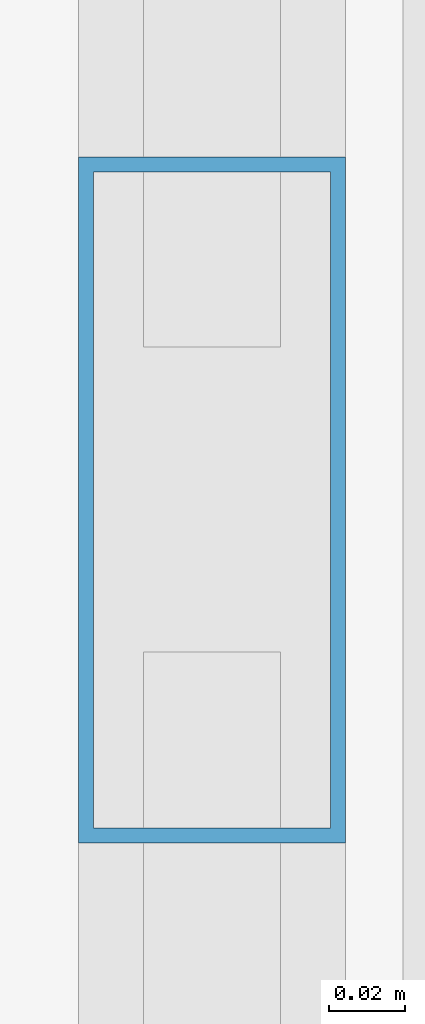
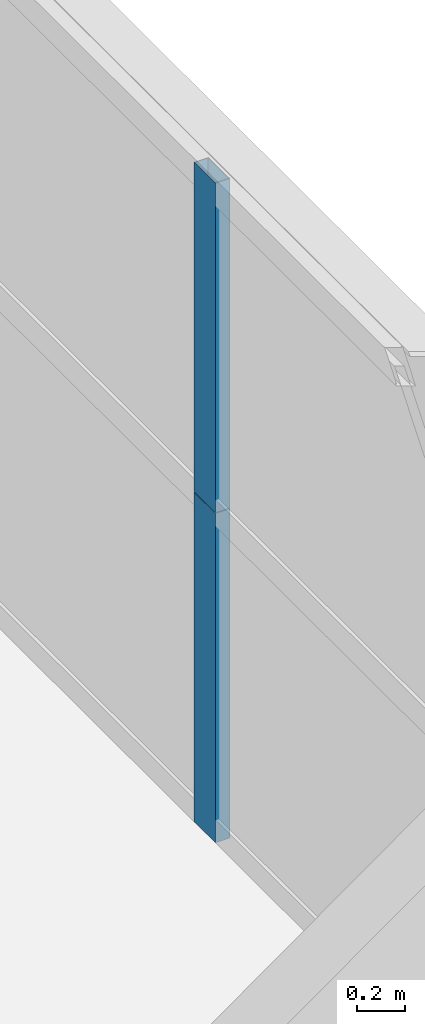
# One storey, part 32 of 43: 2 members, 1 element without a shape of its own.
"""IFC4 building model written with IfcOpenShell, lengths in metres."""

from ifc_helpers import new_model, si_unit, direction, frame, origin, origin_2d, place, context, subcontext, project, spatial, hollow_rectangle, extrude, source, transform, mapped, material, layer, layer_set, material_profile, profile_set, type_object, element, aggregate, save


model = new_model("IFC4")

# Units and contexts
model_context = context("Model", 3, precision=1e-05, world=origin(), true_north=direction((0.0, 1.0)))
body_context = subcontext(model_context, "Body", "Model", "MODEL_VIEW")
ifc_project = project(units=[si_unit("LENGTHUNIT", "METRE"), si_unit("AREAUNIT", "SQUARE_METRE"), si_unit("VOLUMEUNIT", "CUBIC_METRE"), si_unit("PLANEANGLEUNIT", "RADIAN"), si_unit("MASSUNIT", "GRAM", prefix="KILO"), si_unit("THERMODYNAMICTEMPERATUREUNIT", "KELVIN"), si_unit("POWERUNIT", "WATT")], contexts=[model_context])

# Site, building, storey
site_placement = place(None, origin())
site = spatial("IfcSite", under=ifc_project, at=site_placement, CompositionType="ELEMENT")
building_placement = place(site_placement, origin())
building = spatial("IfcBuilding", under=site, at=building_placement, Name="Yuzanri Waterfront Tower", CompositionType="ELEMENT")
storey_placement = place(building_placement, frame((0.0, 0.0, 67.60009765625)))
storey = spatial("IfcBuildingStorey", under=building, at=storey_placement, Name="L17", CompositionType="ELEMENT", Elevation=67.60009765625)

# Curtain wall, members
ifc_material_1 = material(Name="Anodized Architectural Bronze", Category="metal")
ifc_layer = layer(ifc_material_1, 0.159912109375)
ifc_layer_set = layer_set([ifc_layer], Name="Anodized Architectural Bronze")
curtain_wall_type = type_object("IfcCurtainWallType", Name="Anodized Bronze Hotel Lower-Tier Recessed Unitized Curtain Wall 8100", PredefinedType="NOTDEFINED", material=ifc_layer_set)
curtain_wall_placement = place(storey_placement, origin())
curtain_wall = element("IfcCurtainWall", 1, at=curtain_wall_placement, inside=storey, type_object=curtain_wall_type, Name="L17 Curtain Wall CW-L17-ER", PredefinedType="NOTDEFINED")
ifc_material_2 = material(Name="Anodized Architectural Bronze", Category="metal")
ifc_material_profile = material_profile(ifc_material_2, hollow_rectangle(XDim=0.070068359375, YDim=0.179931640625, WallThickness=0.00390625, at=origin_2d()), Name="CWM 70x180")
ifc_profile_set = profile_set([ifc_material_profile], Name="Anodized Architectural Bronze")
member_type = type_object("IfcMemberType", Name="Anodized Bronze Standard Curtain-Wall Mullion 70x180", PredefinedType="MULLION", material=ifc_profile_set)
shared_shape = source(origin(), body_context, "Body", "SweptSolid", [
    extrude(hollow_rectangle(XDim=0.070068359375, YDim=0.179931640625, WallThickness=0.00390625, at=origin_2d()), origin(), (0.0, 0.0, 1.0), 1.68798828125),
])
member_1_placement = place(storey_placement, frame((61.949951171875, 34.89990234375, 0.0), z_axis=(0.0, 0.0, 1.0), x_axis=(1.0, 0.0, 0.0)))
member_1 = element("IfcMember", 2, at=member_1_placement, type_object=member_type, Name="CW-L17-ER Lower Mullion 01", PredefinedType="MULLION", context=body_context, shape_type="MappedRepresentation", body=[
    mapped(shared_shape, transform((0.0, 0.0, 0.0), scale=1.0)),
])
member_2_placement = place(storey_placement, frame((61.949951171875, 34.89990234375, 1.69189453125), z_axis=(0.0, 0.0, 1.0), x_axis=(1.0, 0.0, 0.0)))
member_2 = element("IfcMember", 3, at=member_2_placement, type_object=member_type, Name="CW-L17-ER Upper Mullion 01", PredefinedType="MULLION", context=body_context, shape_type="MappedRepresentation", body=[
    mapped(shared_shape, transform((0.0, 0.0, 0.0), scale=1.0)),
])
aggregate(curtain_wall, [member_1, member_2])

save(model, "model.ifc")
